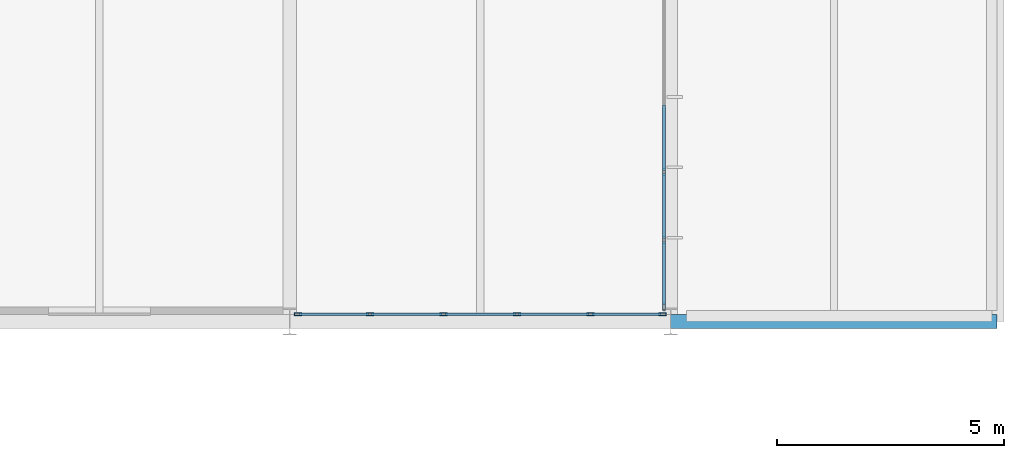
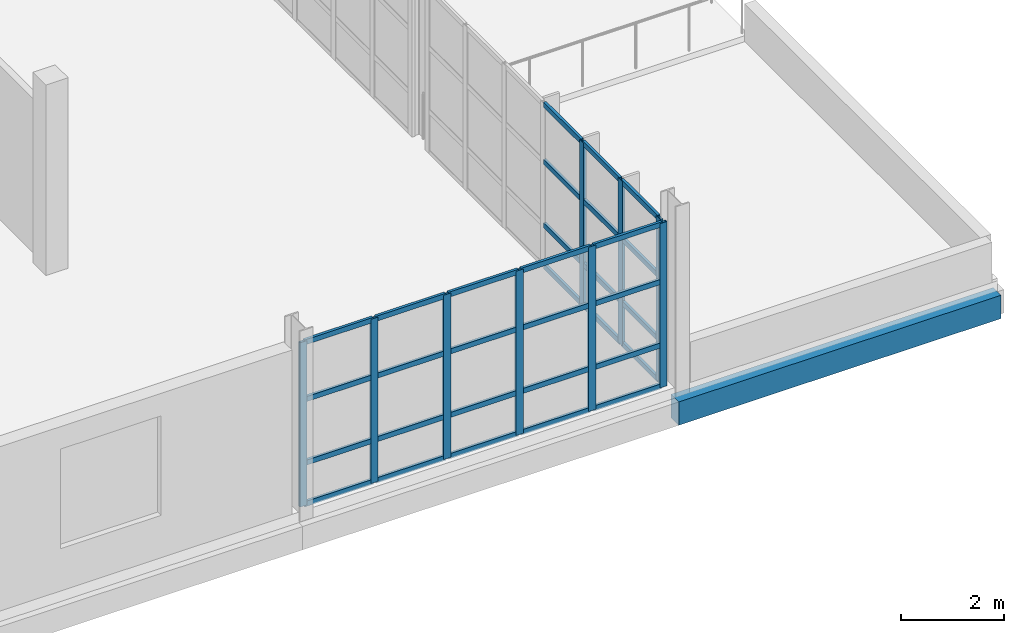
# One storey, part 65 of 109: 41 members, 1 beam, 2 elements without a shape of their own.
"""IFC4 building model written with IfcOpenShell, lengths in metres."""

from ifc_helpers import new_model, si_unit, direction, frame, origin, origin_2d, place, context, subcontext, project, spatial, rectangle, hollow_rectangle, extrude, material, material_profile, profile_set, type_object, element, aggregate, save


model = new_model("IFC4")

# Units and contexts
model_context = context("Model", 3, precision=1e-05, world=origin(), true_north=direction((0.0, 1.0)))
body_context = subcontext(model_context, "Body", "Model", "MODEL_VIEW")
ifc_project = project(units=[si_unit("LENGTHUNIT", "METRE"), si_unit("AREAUNIT", "SQUARE_METRE"), si_unit("VOLUMEUNIT", "CUBIC_METRE"), si_unit("PLANEANGLEUNIT", "RADIAN"), si_unit("MASSUNIT", "GRAM", prefix="KILO")], contexts=[model_context])

# Site, building, storey
site_placement = place(None, origin())
site = spatial("IfcSite", under=ifc_project, at=site_placement, CompositionType="ELEMENT")
building_placement = place(site_placement, origin())
building = spatial("IfcBuilding", under=site, at=building_placement, Name="Veltarok Museum of Natural Sciences", CompositionType="ELEMENT")
storey_placement = place(building_placement, frame((0.0, 0.0, 17.39990234375)))
storey = spatial("IfcBuildingStorey", under=building, at=storey_placement, Name="L03", CompositionType="ELEMENT", Elevation=17.39990234375)

# Curtain wall, members
ifc_material_1 = material(Name="Low-iron triple insulated glass", Category="glass")
curtain_wall_type_1 = type_object("IfcCurtainWallType", Name="Curtain Wall System CW-V5S-L03-18-810x388 (V5 South Lab Curtain Wall L03 18-19 810x388cm)", PredefinedType="NOTDEFINED", material=ifc_material_1)
curtain_wall_1_placement = place(storey_placement, origin())
curtain_wall_1 = element("IfcCurtainWall", 1, at=curtain_wall_1_placement, inside=storey, type_object=curtain_wall_type_1, Name="Curtain Wall CW-V5S-L03-18-810x388 CW-0095", PredefinedType="NOTDEFINED")
ifc_material_2 = material(Name="Thermally broken anodised aluminium", Category="aluminium")
ifc_material_profile_1 = material_profile(ifc_material_2, hollow_rectangle(XDim=0.06005859375, YDim=0.1201171875, WallThickness=0.0048828125, at=origin_2d()), Name="CW TRANSOM 60x120x5")
ifc_profile_set_1 = profile_set([ifc_material_profile_1], Name="Thermally broken anodised aluminium")
member_type_1 = type_object("IfcMemberType", Name="Curtain Wall Horizontal Transom 60x120x5", PredefinedType="USERDEFINED", material=ifc_profile_set_1)
member_1_placement = place(storey_placement, frame((149.409912109375, 0.159912109375, 0.030029296875), z_axis=(1.0, 0.0, 0.0), x_axis=(0.0, 1.0, 0.0)))
member_1 = element("IfcMember", 2, at=member_1_placement, type_object=member_type_1, Name="CW-V5S-L03-18-810x388 transom 1.1", ObjectType="TRANSOM", PredefinedType="USERDEFINED", context=body_context, shape_type="SweptSolid", body=[
    extrude(hollow_rectangle(XDim=0.06005859375, YDim=0.1201171875, WallThickness=0.0048828125, at=origin_2d()), origin(), (0.0, 0.0, 1.0), 1.530029296875),
])
member_2_placement = place(storey_placement, frame((149.409912109375, 0.159912109375, 1.0), z_axis=(1.0, 0.0, 0.0), x_axis=(0.0, 1.0, 0.0)))
member_2 = element("IfcMember", 3, at=member_2_placement, type_object=member_type_1, Name="CW-V5S-L03-18-810x388 transom 1.2", ObjectType="TRANSOM", PredefinedType="USERDEFINED", context=body_context, shape_type="SweptSolid", body=[
    extrude(hollow_rectangle(XDim=0.06005859375, YDim=0.1201171875, WallThickness=0.0048828125, at=origin_2d()), origin(), (0.0, 0.0, 1.0), 1.530029296875),
])
member_3_placement = place(storey_placement, frame((149.409912109375, 0.159912109375, 2.5), z_axis=(1.0, 0.0, 0.0), x_axis=(0.0, 1.0, 0.0)))
member_3 = element("IfcMember", 4, at=member_3_placement, type_object=member_type_1, Name="CW-V5S-L03-18-810x388 transom 1.3", ObjectType="TRANSOM", PredefinedType="USERDEFINED", context=body_context, shape_type="SweptSolid", body=[
    extrude(hollow_rectangle(XDim=0.06005859375, YDim=0.1201171875, WallThickness=0.0048828125, at=origin_2d()), origin(), (0.0, 0.0, 1.0), 1.530029296875),
])
member_4_placement = place(storey_placement, frame((149.409912109375, 0.159912109375, 3.85009765625), z_axis=(1.0, 0.0, 0.0), x_axis=(0.0, 1.0, 0.0)))
member_4 = element("IfcMember", 5, at=member_4_placement, type_object=member_type_1, Name="CW-V5S-L03-18-810x388 transom 1.4", ObjectType="TRANSOM", PredefinedType="USERDEFINED", context=body_context, shape_type="SweptSolid", body=[
    extrude(hollow_rectangle(XDim=0.06005859375, YDim=0.1201171875, WallThickness=0.0048828125, at=origin_2d()), origin(), (0.0, 0.0, 1.0), 1.530029296875),
])
member_5_placement = place(storey_placement, frame((151.0, 0.159912109375, 0.030029296875), z_axis=(1.0, 0.0, 0.0), x_axis=(0.0, 1.0, 0.0)))
member_5 = element("IfcMember", 6, at=member_5_placement, type_object=member_type_1, Name="CW-V5S-L03-18-810x388 transom 2.1", ObjectType="TRANSOM", PredefinedType="USERDEFINED", context=body_context, shape_type="SweptSolid", body=[
    extrude(hollow_rectangle(XDim=0.06005859375, YDim=0.1201171875, WallThickness=0.0048828125, at=origin_2d()), origin(), (0.0, 0.0, 1.0), 1.56005859375),
])
member_6_placement = place(storey_placement, frame((151.0, 0.159912109375, 1.0), z_axis=(1.0, 0.0, 0.0), x_axis=(0.0, 1.0, 0.0)))
member_6 = element("IfcMember", 7, at=member_6_placement, type_object=member_type_1, Name="CW-V5S-L03-18-810x388 transom 2.2", ObjectType="TRANSOM", PredefinedType="USERDEFINED", context=body_context, shape_type="SweptSolid", body=[
    extrude(hollow_rectangle(XDim=0.06005859375, YDim=0.1201171875, WallThickness=0.0048828125, at=origin_2d()), origin(), (0.0, 0.0, 1.0), 1.56005859375),
])
member_7_placement = place(storey_placement, frame((151.0, 0.159912109375, 2.5), z_axis=(1.0, 0.0, 0.0), x_axis=(0.0, 1.0, 0.0)))
member_7 = element("IfcMember", 8, at=member_7_placement, type_object=member_type_1, Name="CW-V5S-L03-18-810x388 transom 2.3", ObjectType="TRANSOM", PredefinedType="USERDEFINED", context=body_context, shape_type="SweptSolid", body=[
    extrude(hollow_rectangle(XDim=0.06005859375, YDim=0.1201171875, WallThickness=0.0048828125, at=origin_2d()), origin(), (0.0, 0.0, 1.0), 1.56005859375),
])
member_8_placement = place(storey_placement, frame((151.0, 0.159912109375, 3.85009765625), z_axis=(1.0, 0.0, 0.0), x_axis=(0.0, 1.0, 0.0)))
member_8 = element("IfcMember", 9, at=member_8_placement, type_object=member_type_1, Name="CW-V5S-L03-18-810x388 transom 2.4", ObjectType="TRANSOM", PredefinedType="USERDEFINED", context=body_context, shape_type="SweptSolid", body=[
    extrude(hollow_rectangle(XDim=0.06005859375, YDim=0.1201171875, WallThickness=0.0048828125, at=origin_2d()), origin(), (0.0, 0.0, 1.0), 1.56005859375),
])
member_9_placement = place(storey_placement, frame((152.6201171875, 0.159912109375, 0.030029296875), z_axis=(1.0, 0.0, 0.0), x_axis=(0.0, 1.0, 0.0)))
member_9 = element("IfcMember", 10, at=member_9_placement, type_object=member_type_1, Name="CW-V5S-L03-18-810x388 transom 3.1", ObjectType="TRANSOM", PredefinedType="USERDEFINED", context=body_context, shape_type="SweptSolid", body=[
    extrude(hollow_rectangle(XDim=0.06005859375, YDim=0.1201171875, WallThickness=0.0048828125, at=origin_2d()), origin(), (0.0, 0.0, 1.0), 1.559814453125),
])
member_10_placement = place(storey_placement, frame((152.6201171875, 0.159912109375, 1.0), z_axis=(1.0, 0.0, 0.0), x_axis=(0.0, 1.0, 0.0)))
member_10 = element("IfcMember", 11, at=member_10_placement, type_object=member_type_1, Name="CW-V5S-L03-18-810x388 transom 3.2", ObjectType="TRANSOM", PredefinedType="USERDEFINED", context=body_context, shape_type="SweptSolid", body=[
    extrude(hollow_rectangle(XDim=0.06005859375, YDim=0.1201171875, WallThickness=0.0048828125, at=origin_2d()), origin(), (0.0, 0.0, 1.0), 1.559814453125),
])
member_11_placement = place(storey_placement, frame((152.6201171875, 0.159912109375, 2.5), z_axis=(1.0, 0.0, 0.0), x_axis=(0.0, 1.0, 0.0)))
member_11 = element("IfcMember", 12, at=member_11_placement, type_object=member_type_1, Name="CW-V5S-L03-18-810x388 transom 3.3", ObjectType="TRANSOM", PredefinedType="USERDEFINED", context=body_context, shape_type="SweptSolid", body=[
    extrude(hollow_rectangle(XDim=0.06005859375, YDim=0.1201171875, WallThickness=0.0048828125, at=origin_2d()), origin(), (0.0, 0.0, 1.0), 1.559814453125),
])
member_12_placement = place(storey_placement, frame((152.6201171875, 0.159912109375, 3.85009765625), z_axis=(1.0, 0.0, 0.0), x_axis=(0.0, 1.0, 0.0)))
member_12 = element("IfcMember", 13, at=member_12_placement, type_object=member_type_1, Name="CW-V5S-L03-18-810x388 transom 3.4", ObjectType="TRANSOM", PredefinedType="USERDEFINED", context=body_context, shape_type="SweptSolid", body=[
    extrude(hollow_rectangle(XDim=0.06005859375, YDim=0.1201171875, WallThickness=0.0048828125, at=origin_2d()), origin(), (0.0, 0.0, 1.0), 1.559814453125),
])
member_13_placement = place(storey_placement, frame((154.239990234375, 0.159912109375, 0.030029296875), z_axis=(1.0, 0.0, 0.0), x_axis=(0.0, 1.0, 0.0)))
member_13 = element("IfcMember", 14, at=member_13_placement, type_object=member_type_1, Name="CW-V5S-L03-18-810x388 transom 4.1", ObjectType="TRANSOM", PredefinedType="USERDEFINED", context=body_context, shape_type="SweptSolid", body=[
    extrude(hollow_rectangle(XDim=0.06005859375, YDim=0.1201171875, WallThickness=0.0048828125, at=origin_2d()), origin(), (0.0, 0.0, 1.0), 1.56005859375),
])
member_14_placement = place(storey_placement, frame((154.239990234375, 0.159912109375, 1.0), z_axis=(1.0, 0.0, 0.0), x_axis=(0.0, 1.0, 0.0)))
member_14 = element("IfcMember", 15, at=member_14_placement, type_object=member_type_1, Name="CW-V5S-L03-18-810x388 transom 4.2", ObjectType="TRANSOM", PredefinedType="USERDEFINED", context=body_context, shape_type="SweptSolid", body=[
    extrude(hollow_rectangle(XDim=0.06005859375, YDim=0.1201171875, WallThickness=0.0048828125, at=origin_2d()), origin(), (0.0, 0.0, 1.0), 1.56005859375),
])
member_15_placement = place(storey_placement, frame((154.239990234375, 0.159912109375, 2.5), z_axis=(1.0, 0.0, 0.0), x_axis=(0.0, 1.0, 0.0)))
member_15 = element("IfcMember", 16, at=member_15_placement, type_object=member_type_1, Name="CW-V5S-L03-18-810x388 transom 4.3", ObjectType="TRANSOM", PredefinedType="USERDEFINED", context=body_context, shape_type="SweptSolid", body=[
    extrude(hollow_rectangle(XDim=0.06005859375, YDim=0.1201171875, WallThickness=0.0048828125, at=origin_2d()), origin(), (0.0, 0.0, 1.0), 1.56005859375),
])
member_16_placement = place(storey_placement, frame((154.239990234375, 0.159912109375, 3.85009765625), z_axis=(1.0, 0.0, 0.0), x_axis=(0.0, 1.0, 0.0)))
member_16 = element("IfcMember", 17, at=member_16_placement, type_object=member_type_1, Name="CW-V5S-L03-18-810x388 transom 4.4", ObjectType="TRANSOM", PredefinedType="USERDEFINED", context=body_context, shape_type="SweptSolid", body=[
    extrude(hollow_rectangle(XDim=0.06005859375, YDim=0.1201171875, WallThickness=0.0048828125, at=origin_2d()), origin(), (0.0, 0.0, 1.0), 1.56005859375),
])
member_17_placement = place(storey_placement, frame((155.860107421875, 0.159912109375, 0.030029296875), z_axis=(1.0, 0.0, 0.0), x_axis=(0.0, 1.0, 0.0)))
member_17 = element("IfcMember", 18, at=member_17_placement, type_object=member_type_1, Name="CW-V5S-L03-18-810x388 transom 5.1", ObjectType="TRANSOM", PredefinedType="USERDEFINED", context=body_context, shape_type="SweptSolid", body=[
    extrude(hollow_rectangle(XDim=0.06005859375, YDim=0.1201171875, WallThickness=0.0048828125, at=origin_2d()), origin(), (0.0, 0.0, 1.0), 1.52978515625),
])
member_18_placement = place(storey_placement, frame((155.860107421875, 0.159912109375, 1.0), z_axis=(1.0, 0.0, 0.0), x_axis=(0.0, 1.0, 0.0)))
member_18 = element("IfcMember", 19, at=member_18_placement, type_object=member_type_1, Name="CW-V5S-L03-18-810x388 transom 5.2", ObjectType="TRANSOM", PredefinedType="USERDEFINED", context=body_context, shape_type="SweptSolid", body=[
    extrude(hollow_rectangle(XDim=0.06005859375, YDim=0.1201171875, WallThickness=0.0048828125, at=origin_2d()), origin(), (0.0, 0.0, 1.0), 1.52978515625),
])
member_19_placement = place(storey_placement, frame((155.860107421875, 0.159912109375, 2.5), z_axis=(1.0, 0.0, 0.0), x_axis=(0.0, 1.0, 0.0)))
member_19 = element("IfcMember", 20, at=member_19_placement, type_object=member_type_1, Name="CW-V5S-L03-18-810x388 transom 5.3", ObjectType="TRANSOM", PredefinedType="USERDEFINED", context=body_context, shape_type="SweptSolid", body=[
    extrude(hollow_rectangle(XDim=0.06005859375, YDim=0.1201171875, WallThickness=0.0048828125, at=origin_2d()), origin(), (0.0, 0.0, 1.0), 1.52978515625),
])
member_20_placement = place(storey_placement, frame((155.860107421875, 0.159912109375, 3.85009765625), z_axis=(1.0, 0.0, 0.0), x_axis=(0.0, 1.0, 0.0)))
member_20 = element("IfcMember", 21, at=member_20_placement, type_object=member_type_1, Name="CW-V5S-L03-18-810x388 transom 5.4", ObjectType="TRANSOM", PredefinedType="USERDEFINED", context=body_context, shape_type="SweptSolid", body=[
    extrude(hollow_rectangle(XDim=0.06005859375, YDim=0.1201171875, WallThickness=0.0048828125, at=origin_2d()), origin(), (0.0, 0.0, 1.0), 1.52978515625),
])

curtain_wall_type_2 = type_object("IfcCurtainWallType", Name="Curtain Wall System CW-V5E-L03-A-900x388 (V5 East Lab L03 A-B 900x388cm)", PredefinedType="NOTDEFINED", material=ifc_material_1)
curtain_wall_2_placement = place(storey_placement, origin())
curtain_wall_2 = element("IfcCurtainWall", 22, at=curtain_wall_2_placement, inside=storey, type_object=curtain_wall_type_2, Name="Curtain Wall CW-V5E-L03-A-900x388 CW-0115", PredefinedType="NOTDEFINED")
member_21_placement = place(storey_placement, frame((157.449951171875, 0.360107421875, 0.030029296875), z_axis=(0.0, 1.0, 0.0), x_axis=(-1.0, 0.0, 0.0)))
member_21 = element("IfcMember", 23, at=member_21_placement, type_object=member_type_1, Name="CW-V5E-L03-A-900x388 transom 1.1", ObjectType="TRANSOM", PredefinedType="USERDEFINED", context=body_context, shape_type="SweptSolid", body=[
    extrude(hollow_rectangle(XDim=0.06005859375, YDim=0.1201171875, WallThickness=0.0048828125, at=origin_2d()), origin(), (0.0, 0.0, 1.0), 1.409912109375),
])
member_22_placement = place(storey_placement, frame((157.449951171875, 0.360107421875, 1.0), z_axis=(0.0, 1.0, 0.0), x_axis=(-1.0, 0.0, 0.0)))
member_22 = element("IfcMember", 24, at=member_22_placement, type_object=member_type_1, Name="CW-V5E-L03-A-900x388 transom 1.2", ObjectType="TRANSOM", PredefinedType="USERDEFINED", context=body_context, shape_type="SweptSolid", body=[
    extrude(hollow_rectangle(XDim=0.06005859375, YDim=0.1201171875, WallThickness=0.0048828125, at=origin_2d()), origin(), (0.0, 0.0, 1.0), 1.409912109375),
])
member_23_placement = place(storey_placement, frame((157.449951171875, 0.360107421875, 2.5), z_axis=(0.0, 1.0, 0.0), x_axis=(-1.0, 0.0, 0.0)))
member_23 = element("IfcMember", 25, at=member_23_placement, type_object=member_type_1, Name="CW-V5E-L03-A-900x388 transom 1.3", ObjectType="TRANSOM", PredefinedType="USERDEFINED", context=body_context, shape_type="SweptSolid", body=[
    extrude(hollow_rectangle(XDim=0.06005859375, YDim=0.1201171875, WallThickness=0.0048828125, at=origin_2d()), origin(), (0.0, 0.0, 1.0), 1.409912109375),
])
member_24_placement = place(storey_placement, frame((157.449951171875, 0.360107421875, 3.85009765625), z_axis=(0.0, 1.0, 0.0), x_axis=(-1.0, 0.0, 0.0)))
member_24 = element("IfcMember", 26, at=member_24_placement, type_object=member_type_1, Name="CW-V5E-L03-A-900x388 transom 1.4", ObjectType="TRANSOM", PredefinedType="USERDEFINED", context=body_context, shape_type="SweptSolid", body=[
    extrude(hollow_rectangle(XDim=0.06005859375, YDim=0.1201171875, WallThickness=0.0048828125, at=origin_2d()), origin(), (0.0, 0.0, 1.0), 1.409912109375),
])
member_25_placement = place(storey_placement, frame((157.449951171875, 1.830078125, 0.030029296875), z_axis=(0.0, 1.0, 0.0), x_axis=(-1.0, 0.0, 0.0)))
member_25 = element("IfcMember", 27, at=member_25_placement, type_object=member_type_1, Name="CW-V5E-L03-A-900x388 transom 2.1", ObjectType="TRANSOM", PredefinedType="USERDEFINED", context=body_context, shape_type="SweptSolid", body=[
    extrude(hollow_rectangle(XDim=0.06005859375, YDim=0.1201171875, WallThickness=0.0048828125, at=origin_2d()), origin(), (0.0, 0.0, 1.0), 1.43994140625),
])
member_26_placement = place(storey_placement, frame((157.449951171875, 1.830078125, 1.0), z_axis=(0.0, 1.0, 0.0), x_axis=(-1.0, 0.0, 0.0)))
member_26 = element("IfcMember", 28, at=member_26_placement, type_object=member_type_1, Name="CW-V5E-L03-A-900x388 transom 2.2", ObjectType="TRANSOM", PredefinedType="USERDEFINED", context=body_context, shape_type="SweptSolid", body=[
    extrude(hollow_rectangle(XDim=0.06005859375, YDim=0.1201171875, WallThickness=0.0048828125, at=origin_2d()), origin(), (0.0, 0.0, 1.0), 1.43994140625),
])
member_27_placement = place(storey_placement, frame((157.449951171875, 1.830078125, 2.5), z_axis=(0.0, 1.0, 0.0), x_axis=(-1.0, 0.0, 0.0)))
member_27 = element("IfcMember", 29, at=member_27_placement, type_object=member_type_1, Name="CW-V5E-L03-A-900x388 transom 2.3", ObjectType="TRANSOM", PredefinedType="USERDEFINED", context=body_context, shape_type="SweptSolid", body=[
    extrude(hollow_rectangle(XDim=0.06005859375, YDim=0.1201171875, WallThickness=0.0048828125, at=origin_2d()), origin(), (0.0, 0.0, 1.0), 1.43994140625),
])
member_28_placement = place(storey_placement, frame((157.449951171875, 1.830078125, 3.85009765625), z_axis=(0.0, 1.0, 0.0), x_axis=(-1.0, 0.0, 0.0)))
member_28 = element("IfcMember", 30, at=member_28_placement, type_object=member_type_1, Name="CW-V5E-L03-A-900x388 transom 2.4", ObjectType="TRANSOM", PredefinedType="USERDEFINED", context=body_context, shape_type="SweptSolid", body=[
    extrude(hollow_rectangle(XDim=0.06005859375, YDim=0.1201171875, WallThickness=0.0048828125, at=origin_2d()), origin(), (0.0, 0.0, 1.0), 1.43994140625),
])
member_29_placement = place(storey_placement, frame((157.449951171875, 3.330078125, 0.030029296875), z_axis=(0.0, 1.0, 0.0), x_axis=(-1.0, 0.0, 0.0)))
member_29 = element("IfcMember", 31, at=member_29_placement, type_object=member_type_1, Name="CW-V5E-L03-A-900x388 transom 3.1", ObjectType="TRANSOM", PredefinedType="USERDEFINED", context=body_context, shape_type="SweptSolid", body=[
    extrude(hollow_rectangle(XDim=0.06005859375, YDim=0.1201171875, WallThickness=0.0048828125, at=origin_2d()), origin(), (0.0, 0.0, 1.0), 1.43994140625),
])
member_30_placement = place(storey_placement, frame((157.449951171875, 3.330078125, 1.0), z_axis=(0.0, 1.0, 0.0), x_axis=(-1.0, 0.0, 0.0)))
member_30 = element("IfcMember", 32, at=member_30_placement, type_object=member_type_1, Name="CW-V5E-L03-A-900x388 transom 3.2", ObjectType="TRANSOM", PredefinedType="USERDEFINED", context=body_context, shape_type="SweptSolid", body=[
    extrude(hollow_rectangle(XDim=0.06005859375, YDim=0.1201171875, WallThickness=0.0048828125, at=origin_2d()), origin(), (0.0, 0.0, 1.0), 1.43994140625),
])
member_31_placement = place(storey_placement, frame((157.449951171875, 3.330078125, 2.5), z_axis=(0.0, 1.0, 0.0), x_axis=(-1.0, 0.0, 0.0)))
member_31 = element("IfcMember", 33, at=member_31_placement, type_object=member_type_1, Name="CW-V5E-L03-A-900x388 transom 3.3", ObjectType="TRANSOM", PredefinedType="USERDEFINED", context=body_context, shape_type="SweptSolid", body=[
    extrude(hollow_rectangle(XDim=0.06005859375, YDim=0.1201171875, WallThickness=0.0048828125, at=origin_2d()), origin(), (0.0, 0.0, 1.0), 1.43994140625),
])
member_32_placement = place(storey_placement, frame((157.449951171875, 3.330078125, 3.85009765625), z_axis=(0.0, 1.0, 0.0), x_axis=(-1.0, 0.0, 0.0)))
member_32 = element("IfcMember", 34, at=member_32_placement, type_object=member_type_1, Name="CW-V5E-L03-A-900x388 transom 3.4", ObjectType="TRANSOM", PredefinedType="USERDEFINED", context=body_context, shape_type="SweptSolid", body=[
    extrude(hollow_rectangle(XDim=0.06005859375, YDim=0.1201171875, WallThickness=0.0048828125, at=origin_2d()), origin(), (0.0, 0.0, 1.0), 1.43994140625),
])

# Member
ifc_material_profile_2 = material_profile(ifc_material_2, hollow_rectangle(XDim=0.06005859375, YDim=0.159912109375, WallThickness=0.0048828125, at=origin_2d()), Name="CW MULLION 60x160x5")
ifc_profile_set_2 = profile_set([ifc_material_profile_2], Name="Thermally broken anodised aluminium")
member_type_2 = type_object("IfcMemberType", Name="Curtain Wall Vertical Mullion 60x160x5", PredefinedType="MULLION", material=ifc_profile_set_2)
member_33_placement = place(storey_placement, frame((149.3798828125, 0.159912109375, 0.0), z_axis=(0.0, 0.0, 1.0), x_axis=(0.0, 1.0, 0.0)))
member_33 = element("IfcMember", 35, at=member_33_placement, type_object=member_type_2, Name="CW-V5S-L03-18-810x388 mullion 1", PredefinedType="MULLION", context=body_context, shape_type="SweptSolid", body=[
    extrude(hollow_rectangle(XDim=0.06005859375, YDim=0.159912109375, WallThickness=0.0048828125, at=origin_2d()), origin(), (0.0, 0.0, 1.0), 3.880126953125),
])

member_34_placement = place(storey_placement, frame((150.969970703125, 0.159912109375, 0.0), z_axis=(0.0, 0.0, 1.0), x_axis=(0.0, 1.0, 0.0)))
member_34 = element("IfcMember", 36, at=member_34_placement, type_object=member_type_2, Name="CW-V5S-L03-18-810x388 mullion 2", PredefinedType="MULLION", context=body_context, shape_type="SweptSolid", body=[
    extrude(hollow_rectangle(XDim=0.06005859375, YDim=0.159912109375, WallThickness=0.0048828125, at=origin_2d()), origin(), (0.0, 0.0, 1.0), 3.880126953125),
])

member_35_placement = place(storey_placement, frame((152.590087890625, 0.159912109375, 0.0), z_axis=(0.0, 0.0, 1.0), x_axis=(0.0, 1.0, 0.0)))
member_35 = element("IfcMember", 37, at=member_35_placement, type_object=member_type_2, Name="CW-V5S-L03-18-810x388 mullion 3", PredefinedType="MULLION", context=body_context, shape_type="SweptSolid", body=[
    extrude(hollow_rectangle(XDim=0.06005859375, YDim=0.159912109375, WallThickness=0.0048828125, at=origin_2d()), origin(), (0.0, 0.0, 1.0), 3.880126953125),
])

member_36_placement = place(storey_placement, frame((154.2099609375, 0.159912109375, 0.0), z_axis=(0.0, 0.0, 1.0), x_axis=(0.0, 1.0, 0.0)))
member_36 = element("IfcMember", 38, at=member_36_placement, type_object=member_type_2, Name="CW-V5S-L03-18-810x388 mullion 4", PredefinedType="MULLION", context=body_context, shape_type="SweptSolid", body=[
    extrude(hollow_rectangle(XDim=0.06005859375, YDim=0.159912109375, WallThickness=0.0048828125, at=origin_2d()), origin(), (0.0, 0.0, 1.0), 3.880126953125),
])

member_37_placement = place(storey_placement, frame((155.830078125, 0.159912109375, 0.0), z_axis=(0.0, 0.0, 1.0), x_axis=(0.0, 1.0, 0.0)))
member_37 = element("IfcMember", 39, at=member_37_placement, type_object=member_type_2, Name="CW-V5S-L03-18-810x388 mullion 5", PredefinedType="MULLION", context=body_context, shape_type="SweptSolid", body=[
    extrude(hollow_rectangle(XDim=0.06005859375, YDim=0.159912109375, WallThickness=0.0048828125, at=origin_2d()), origin(), (0.0, 0.0, 1.0), 3.880126953125),
])

member_38_placement = place(storey_placement, frame((157.419921875, 0.159912109375, 0.0), z_axis=(0.0, 0.0, 1.0), x_axis=(0.0, 1.0, 0.0)))
member_38 = element("IfcMember", 40, at=member_38_placement, type_object=member_type_2, Name="CW-V5S-L03-18-810x388 mullion 6", PredefinedType="MULLION", context=body_context, shape_type="SweptSolid", body=[
    extrude(hollow_rectangle(XDim=0.06005859375, YDim=0.159912109375, WallThickness=0.0048828125, at=origin_2d()), origin(), (0.0, 0.0, 1.0), 3.880126953125),
])

aggregate(curtain_wall_1, [member_33, member_34, member_35, member_36, member_37, member_38, member_1, member_2, member_3, member_4, member_5, member_6, member_7, member_8, member_9, member_10, member_11, member_12, member_13, member_14, member_15, member_16, member_17, member_18, member_19, member_20])

member_39_placement = place(storey_placement, frame((157.449951171875, 0.330078125, 0.0), z_axis=(0.0, 0.0, 1.0), x_axis=(-1.0, 0.0, 0.0)))
member_39 = element("IfcMember", 41, at=member_39_placement, type_object=member_type_2, Name="CW-V5E-L03-A-900x388 mullion 1", PredefinedType="MULLION", context=body_context, shape_type="SweptSolid", body=[
    extrude(hollow_rectangle(XDim=0.06005859375, YDim=0.159912109375, WallThickness=0.0048828125, at=origin_2d()), origin(), (0.0, 0.0, 1.0), 3.880126953125),
])

member_40_placement = place(storey_placement, frame((157.449951171875, 1.800048828125, 0.0), z_axis=(0.0, 0.0, 1.0), x_axis=(-1.0, 0.0, 0.0)))
member_40 = element("IfcMember", 42, at=member_40_placement, type_object=member_type_2, Name="CW-V5E-L03-A-900x388 mullion 2", PredefinedType="MULLION", context=body_context, shape_type="SweptSolid", body=[
    extrude(hollow_rectangle(XDim=0.06005859375, YDim=0.159912109375, WallThickness=0.0048828125, at=origin_2d()), origin(), (0.0, 0.0, 1.0), 3.880126953125),
])

member_41_placement = place(storey_placement, frame((157.449951171875, 3.300048828125, 0.0), z_axis=(0.0, 0.0, 1.0), x_axis=(-1.0, 0.0, 0.0)))
member_41 = element("IfcMember", 43, at=member_41_placement, type_object=member_type_2, Name="CW-V5E-L03-A-900x388 mullion 3", PredefinedType="MULLION", context=body_context, shape_type="SweptSolid", body=[
    extrude(hollow_rectangle(XDim=0.06005859375, YDim=0.159912109375, WallThickness=0.0048828125, at=origin_2d()), origin(), (0.0, 0.0, 1.0), 3.880126953125),
])

aggregate(curtain_wall_2, [member_39, member_40, member_41, member_21, member_22, member_23, member_24, member_25, member_26, member_27, member_28, member_29, member_30, member_31, member_32])

# Beam
ifc_material_3 = material(Name="Precast concrete C40/50", Category="concrete")
ifc_material_profile_3 = material_profile(ifc_material_3, rectangle(XDim=0.300048828125, YDim=0.550048828125, at=origin_2d()), Name="RC 300x550")
ifc_profile_set_3 = profile_set([ifc_material_profile_3], Name="Precast concrete C40/50")
beam_type = type_object("IfcBeamType", Name="East Wing Precast Spandrel RC 300x550", PredefinedType="SPANDREL", material=ifc_profile_set_3)
beam_placement = place(storey_placement, frame((157.60009765625, 0.0, -0.52490234375), z_axis=(1.0, 0.0, 0.0), x_axis=(0.0, 1.0, 0.0)))
element("IfcBeam", 44, at=beam_placement, inside=storey, type_object=beam_type, Name="Beam BM-SP02 L03 19-20/A", PredefinedType="SPANDREL", context=body_context, shape_type="SweptSolid", body=[
    extrude(rectangle(XDim=0.300048828125, YDim=0.550048828125, at=origin_2d()), origin(), (0.0, 0.0, 1.0), 7.199951171875),
])

save(model, "model.ifc")
